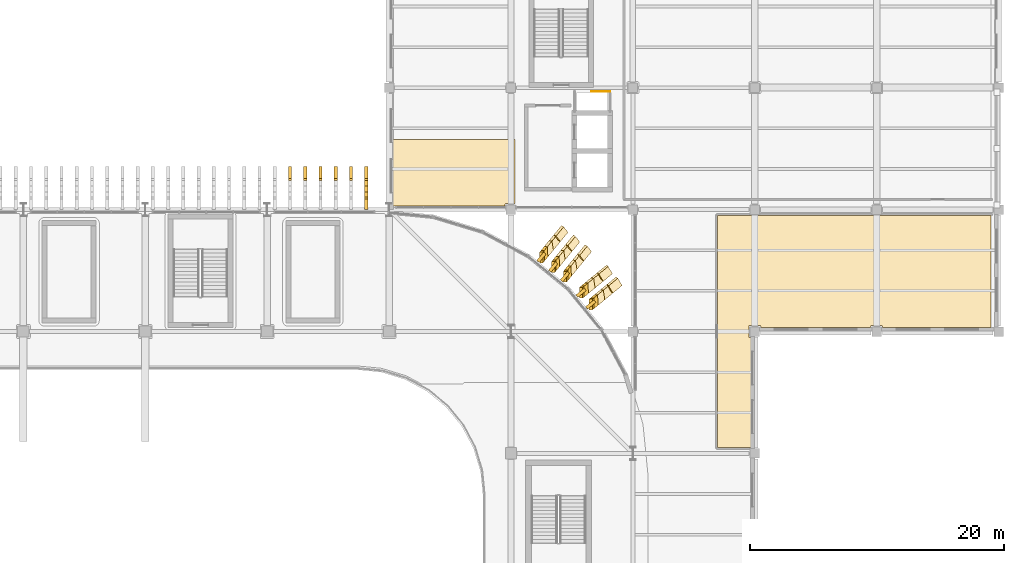
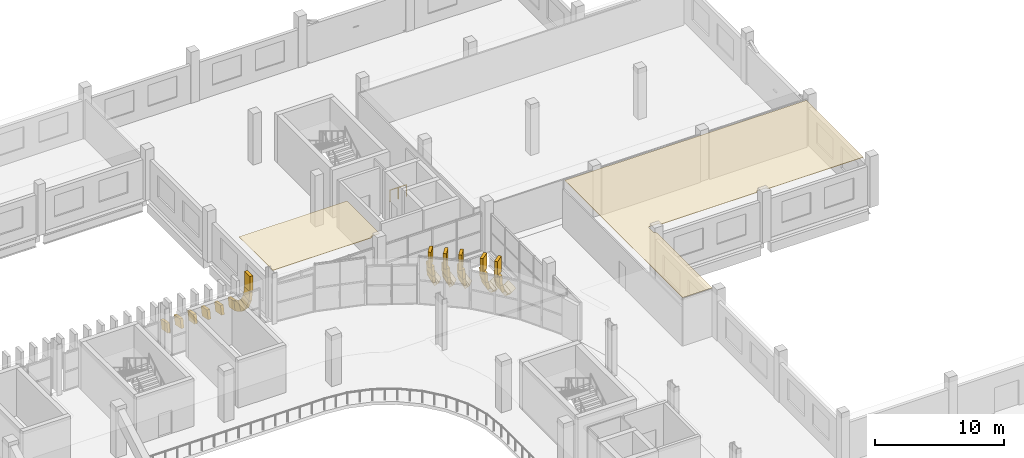
# One storey, part 96 of 100: 43 coverings, 1 railing.
"""IFC4 building model written with IfcOpenShell, lengths in metres."""

import ifcopenshell
import ifcopenshell.guid

model = None  # the IFC model being written
_history = None  # IfcOwnerHistory: only IFC2X3 demands one
_inside = {}  # id of a spatial element -> (the spatial element, [elements in it])
_under = {}  # id of a project, library or spatial element -> (it, [spatial elements below it])
_declared = {}  # id of a project -> (the project, [libraries it declares])
_typed = {}  # id of a type object -> (the type object, [elements of that type])
_made_of = {}  # id of a material, layer set ... -> (it, [elements and type objects made of it])


def new_model(schema):
    """Start an empty IFC model of exactly this schema.

    Asked for "IFC4X3", IfcOpenShell would pick the latest addendum, in which some entities
    have other attributes; the version numbers below select the first issue.
    IFC2X3 requires an IfcOwnerHistory on every rooted entity: one is made here for all.
    """
    global model, _history
    if schema == "IFC4X3":
        model = ifcopenshell.file(schema_version=(4, 3, 0, 0))
    else:
        model = ifcopenshell.file(schema=schema)
    _inside.clear()
    _under.clear()
    _declared.clear()
    _typed.clear()
    _made_of.clear()
    _history = None
    if model.schema == "IFC2X3":
        org = make("IfcOrganization", Name="unknown")
        user = make(
            "IfcPersonAndOrganization",
            ThePerson=make("IfcPerson", FamilyName="unknown"),
            TheOrganization=org,
        )
        app = make(
            "IfcApplication",
            ApplicationDeveloper=org,
            Version="unknown",
            ApplicationFullName="unknown",
            ApplicationIdentifier="unknown",
        )
        _history = make(
            "IfcOwnerHistory",
            OwningUser=user,
            OwningApplication=app,
            ChangeAction="ADDED",
            CreationDate=0,
        )
    return model


def make(cls, **values):
    """One entity of the class cls with the attributes given. An attribute that is None is left unset."""
    return model.create_entity(
        cls, **{name: value for name, value in values.items() if value is not None}
    )


def rooted(cls, **values):
    """An entity with a GlobalId (a new one), such as an element, a storey or a relation."""
    return make(cls, GlobalId=ifcopenshell.guid.new(), OwnerHistory=_history, **values)


def si_unit(unit_type, name, prefix=None):
    """IfcSIUnit, for example si_unit("LENGTHUNIT", "METRE", prefix="MILLI")."""
    return make("IfcSIUnit", UnitType=unit_type, Prefix=prefix, Name=name)


def assignment(units):
    """IfcUnitAssignment: the units of a project."""
    return None if units is None else make("IfcUnitAssignment", Units=units)


def point(xyz):
    """IfcCartesianPoint."""
    return None if xyz is None else make("IfcCartesianPoint", Coordinates=xyz)


def direction(xyz):
    """IfcDirection."""
    return None if xyz is None else make("IfcDirection", DirectionRatios=xyz)


def frame(location, z_axis=None, x_axis=None):
    """IfcAxis2Placement3D, a coordinate frame: its origin and axes. An axis left out is left unset."""
    return make(
        "IfcAxis2Placement3D",
        Location=point(location),
        Axis=direction(z_axis),
        RefDirection=direction(x_axis),
    )


def frame_2d(location, x_axis=None):
    """IfcAxis2Placement2D, a coordinate frame in the plane: its origin and x axis."""
    return make(
        "IfcAxis2Placement2D", Location=point(location), RefDirection=direction(x_axis)
    )


def origin():
    """The frame at (0, 0, 0) with its axes left unset."""
    return frame((0.0, 0.0, 0.0))


def origin_2d():
    """The frame at (0, 0) in the plane with its x axis left unset."""
    return frame_2d((0.0, 0.0))


def place(relative_to, where):
    """IfcLocalPlacement: puts the frame where relative to a parent placement (None: the world)."""
    return make(
        "IfcLocalPlacement", PlacementRelTo=relative_to, RelativePlacement=where
    )


def context(
    kind, dimensions, precision=None, world=None, true_north=None, identifier=None
):
    """IfcGeometricRepresentationContext, for example the 3D "Model" context."""
    return make(
        "IfcGeometricRepresentationContext",
        ContextIdentifier=identifier,
        ContextType=kind,
        CoordinateSpaceDimension=dimensions,
        Precision=precision,
        WorldCoordinateSystem=world,
        TrueNorth=true_north,
    )


def subcontext(parent, identifier, kind, view, scale=None):
    """IfcGeometricRepresentationSubContext, for example "Body" below "Model"."""
    return make(
        "IfcGeometricRepresentationSubContext",
        ContextIdentifier=identifier,
        ContextType=kind,
        ParentContext=parent,
        TargetScale=scale,
        TargetView=view,
    )


def project(units=None, contexts=None):
    """IfcProject with its units and contexts."""
    return rooted(
        "IfcProject",
        Name="project",
        RepresentationContexts=contexts,
        UnitsInContext=assignment(units),
    )


def spatial(cls, under=None, at=None, **own):
    """A site, building, storey or space (cls), placed at a placement, below another one or the project."""
    s = rooted(cls, ObjectPlacement=at, **own)
    if under is not None:
        _under.setdefault(under.id(), (under, []))[1].append(s)
    return s


def polyline(points):
    """IfcPolyline through the points."""
    return make("IfcPolyline", Points=[point(p) for p in points])


def profile(cls, at=None, kind="AREA", **sizes):
    """A parametric profile (cls). Its sizes go by their IFC names, for example OverallWidth=200.0."""
    return make(cls, ProfileType=kind, Position=at, **sizes)


def rectangle(**sizes):
    """IfcRectangleProfileDef."""
    return profile("IfcRectangleProfileDef", **sizes)


def circle(**sizes):
    """IfcCircleProfileDef."""
    return profile("IfcCircleProfileDef", **sizes)


def outline(outer, holes=None, kind="AREA"):
    """IfcArbitraryClosedProfileDef: a profile drawn as a closed curve; with holes, ...WithVoids."""
    if holes is None:
        return make("IfcArbitraryClosedProfileDef", ProfileType=kind, OuterCurve=outer)
    return make(
        "IfcArbitraryProfileDefWithVoids",
        ProfileType=kind,
        OuterCurve=outer,
        InnerCurves=holes,
    )


def extrude(swept, where, along, depth):
    """IfcExtrudedAreaSolid: the profile swept, set in the frame where, extruded along a direction by depth."""
    return make(
        "IfcExtrudedAreaSolid",
        SweptArea=swept,
        Position=where,
        ExtrudedDirection=direction(along),
        Depth=depth,
    )


def shape(context_of_items, identifier, shape_type, items):
    """IfcShapeRepresentation: the items that make up one representation, for example the "Body"."""
    return make(
        "IfcShapeRepresentation",
        ContextOfItems=context_of_items,
        RepresentationIdentifier=identifier,
        RepresentationType=shape_type,
        Items=items,
    )


def material(Name=None, Category=None):
    """IfcMaterial."""
    return make("IfcMaterial", Name=Name, Category=Category)


def layer(
    of_material, thickness, ventilated=None, Name=None, Category=None, Priority=None
):
    """IfcMaterialLayer: one layer of a wall or slab, of a material (None: an air gap)."""
    return make(
        "IfcMaterialLayer",
        Material=of_material,
        LayerThickness=thickness,
        IsVentilated=ventilated,
        Name=Name,
        Category=Category,
        Priority=Priority,
    )


def layer_set(layers, Name=None):
    """IfcMaterialLayerSet."""
    return make("IfcMaterialLayerSet", MaterialLayers=layers, LayerSetName=Name)


def material_profile(
    of_material, cross_section, Name=None, Category=None, Priority=None
):
    """IfcMaterialProfile: a cross section and its material."""
    return make(
        "IfcMaterialProfile",
        Name=Name,
        Material=of_material,
        Profile=cross_section,
        Priority=Priority,
        Category=Category,
    )


def profile_set(profiles, Name=None, composite=None):
    """IfcMaterialProfileSet."""
    return make(
        "IfcMaterialProfileSet",
        Name=Name,
        MaterialProfiles=profiles,
        CompositeProfile=composite,
    )


def made_of(thing, what):
    """Note that an element or type object is made of a material, layer set ...; save() writes the relation."""
    if what is not None:
        _made_of.setdefault(what.id(), (what, []))[1].append(thing)
    return thing


def type_object(cls, material=None, **own):
    """A type object (cls), such as IfcWallType, which elements share."""
    return made_of(rooted(cls, **own), material)


def element(
    cls,
    number,
    at=None,
    inside=None,
    cuts=None,
    type_object=None,
    material=None,
    context=None,
    identifier="Body",
    shape_type=None,
    held_by="IfcProductDefinitionShape",
    body=None,
    shapes=None,
    **own,
):
    """One element of the class cls, such as IfcWall. Its Tag is "e" and its number.

    at: its placement. inside: the storey or other place that contains it. cuts: it is an
    opening in that element (IfcRelVoidsElement). A single representation is given by context,
    identifier, shape_type and body (its items); several are given by shapes. held_by: the class
    of the entity that holds the representations. save() writes the other relations.
    """
    e = rooted(cls, Tag="e%d" % number, ObjectPlacement=at, **own)
    if body is not None:
        shapes = [shape(context, identifier, shape_type, body)]
    if shapes is not None:
        e.Representation = make(held_by, Representations=shapes)
    if inside is not None:
        _inside.setdefault(inside.id(), (inside, []))[1].append(e)
    if cuts is not None:
        rooted(
            "IfcRelVoidsElement", RelatingBuildingElement=cuts, RelatedOpeningElement=e
        )
    if type_object is not None:
        _typed.setdefault(type_object.id(), (type_object, []))[1].append(e)
    return made_of(e, material)


def aggregate(whole, parts):
    """IfcRelAggregates: a whole, such as a stair, and the parts it consists of."""
    return rooted("IfcRelAggregates", RelatingObject=whole, RelatedObjects=parts)


def save(model, path):
    """Write the relations noted so far, then the file.

    IfcRelAggregates (storeys below a building ...), IfcRelContainedInSpatialStructure (elements
    in a storey), IfcRelDefinesByType, IfcRelAssociatesMaterial and IfcRelDeclares: one each for
    every whole, place, type object, material and project.
    """
    for whole, parts in _under.values():
        aggregate(whole, parts)
    for where, things in _inside.values():
        rooted(
            "IfcRelContainedInSpatialStructure",
            RelatedElements=things,
            RelatingStructure=where,
        )
    for kind, things in _typed.values():
        rooted("IfcRelDefinesByType", RelatedObjects=things, RelatingType=kind)
    for what, things in _made_of.values():
        rooted("IfcRelAssociatesMaterial", RelatedObjects=things, RelatingMaterial=what)
    for by, libraries in _declared.values():
        rooted("IfcRelDeclares", RelatingContext=by, RelatedDefinitions=libraries)
    model.write(path)


model = new_model("IFC4")

# Units and contexts
model_context = context("Model", 3, precision=1e-05, world=origin(), true_north=direction((0.0, 1.0)))
body_context = subcontext(model_context, "Body", "Model", "MODEL_VIEW")
ifc_project = project(units=[si_unit("LENGTHUNIT", "METRE"), si_unit("AREAUNIT", "SQUARE_METRE"), si_unit("VOLUMEUNIT", "CUBIC_METRE"), si_unit("PLANEANGLEUNIT", "RADIAN"), si_unit("MASSUNIT", "GRAM", prefix="KILO")], contexts=[model_context])

# Site, building, storey
site_placement = place(None, origin())
site = spatial("IfcSite", under=ifc_project, at=site_placement, CompositionType="ELEMENT")
building_placement = place(site_placement, origin())
building = spatial("IfcBuilding", under=site, at=building_placement, Name="Caelomonte Colonnade Arena", CompositionType="ELEMENT")
storey_placement = place(building_placement, origin())
storey = spatial("IfcBuildingStorey", under=building, at=storey_placement, Name="L00", CompositionType="ELEMENT", Elevation=0.0)

# Coverings
ifc_material_1 = material(Name="Precast travertine cladding", Category="masonry")
ifc_material_profile = material_profile(ifc_material_1, rectangle(XDim=0.260009765625, YDim=0.85009765625, at=origin_2d()), Name="FIN260X850")
ifc_profile_set = profile_set([ifc_material_profile], Name="Precast travertine cladding")
covering_type_1 = type_object("IfcCoveringType", Name="ENV-FN-SKIRT", PredefinedType="CLADDING", material=ifc_profile_set)
covering_1_placement = place(storey_placement, frame((159.880615234375, 107.72509765625, 3.360107421875), z_axis=(0.0, 0.0, 1.0), x_axis=(0.634413521313, -0.77299384472, 0.0)))
element("IfcCovering", 1, at=covering_1_placement, inside=storey, type_object=covering_type_1, Name="V1 L00 upper classical fin stem 79", PredefinedType="CLADDING", context=body_context, shape_type="SweptSolid", body=[
    extrude(rectangle(XDim=0.260009765625, YDim=0.85009765625, at=origin_2d()), origin(), (0.0, 0.0, 1.0), 1.4599609375),
])
for number, where, z_axis, x_axis, name in (
    (2, (159.875244140625, 107.720703125, 3.474609375), (0.11819984964, 0.097127335462, -0.988228251089), (-0.992969417275, 0.005180578696, -0.11825776068), "V1 L00 splayed classical fin skirt chord 1 (79)"),
    (3, (159.973388671875, 107.801513671875, 2.563232421875), (0.343907040616, 0.282149086139, -0.895611433941), (-0.937616602887, 0.051360055109, -0.343856439128), "V1 L00 splayed classical fin skirt chord 2 (79)"),
    (4, (160.2802734375, 108.053466796875, 1.733154296875), (0.536995164817, 0.440592785207, -0.719384591569), (-0.832306711864, 0.137734765107, -0.536930788712), "V1 L00 splayed classical fin skirt chord 3 (79)"),
):
    element("IfcCovering", number, at=place(storey_placement, frame(where, z_axis=z_axis, x_axis=x_axis)), inside=storey, type_object=covering_type_1, Name=name, PredefinedType="CLADDING", context=body_context, shape_type="SweptSolid", body=[
        extrude(rectangle(XDim=0.260009765625, YDim=0.85009765625, at=origin_2d()), origin(), (0.0, 0.0, 1.0), 1.008056640625),
    ])
covering_2_placement = place(storey_placement, frame((160.766845703125, 108.45263671875, 1.061767578125), z_axis=(0.679977341442, 0.558128890161, -0.47552387647), x_axis=(-0.686627978784, 0.257168052861, -0.680004861261)))
element("IfcCovering", 5, at=covering_2_placement, inside=storey, type_object=covering_type_1, Name="V1 L00 splayed classical fin skirt chord 4 (79)", PredefinedType="CLADDING", context=body_context, shape_type="SweptSolid", body=[
    extrude(rectangle(XDim=0.260009765625, YDim=0.85009765625, at=origin_2d()), origin(), (0.0, 0.0, 1.0), 1.0078125),
])
covering_3_placement = place(storey_placement, frame((161.387451171875, 108.9619140625, 0.6123046875), z_axis=(0.759206251049, 0.623289567494, -0.187392591692), x_axis=(-0.514511393456, 0.39842317493, -0.759300335627)))
element("IfcCovering", 6, at=covering_3_placement, inside=storey, type_object=covering_type_1, Name="V1 L00 splayed classical fin skirt chord 5 (79)", PredefinedType="CLADDING", context=body_context, shape_type="SweptSolid", body=[
    extrude(rectangle(XDim=0.260009765625, YDim=0.85009765625, at=origin_2d()), origin(), (0.0, 0.0, 1.0), 0.962890625),
])
covering_4_placement = place(storey_placement, frame((159.119140625, 108.65283203125, 3.360107421875), z_axis=(0.0, 0.0, 1.0), x_axis=(0.634413521313, -0.77299384472, 0.0)))
element("IfcCovering", 7, at=covering_4_placement, inside=storey, type_object=covering_type_1, Name="V1 L00 upper classical fin stem 80", PredefinedType="CLADDING", context=body_context, shape_type="SweptSolid", body=[
    extrude(rectangle(XDim=0.260009765625, YDim=0.85009765625, at=origin_2d()), origin(), (0.0, 0.0, 1.0), 1.4599609375),
])
for number, where, z_axis, x_axis, name in (
    (8, (159.114013671875, 108.6484375, 3.474609375), (0.117961010588, 0.097130113441, -0.988256515811), (-0.992990994556, 0.004167381904, -0.118116542697), "V1 L00 splayed classical fin skirt chord 1 (80)"),
    (9, (159.212158203125, 108.729248046875, 2.563232421875), (0.343716951851, 0.281949634922, -0.895747207854), (-0.93769385964, 0.051364417791, -0.343645052602), "V1 L00 splayed classical fin skirt chord 2 (80)"),
):
    element("IfcCovering", number, at=place(storey_placement, frame(where, z_axis=z_axis, x_axis=x_axis)), inside=storey, type_object=covering_type_1, Name=name, PredefinedType="CLADDING", context=body_context, shape_type="SweptSolid", body=[
        extrude(rectangle(XDim=0.260009765625, YDim=0.85009765625, at=origin_2d()), origin(), (0.0, 0.0, 1.0), 1.0078125),
    ])
covering_5_placement = place(storey_placement, frame((159.51904296875, 108.98095703125, 1.733154296875), z_axis=(0.536995164817, 0.440592785207, -0.719384591569), x_axis=(-0.832306711864, 0.137734765107, -0.536930788712)))
element("IfcCovering", 10, at=covering_5_placement, inside=storey, type_object=covering_type_1, Name="V1 L00 splayed classical fin skirt chord 3 (80)", PredefinedType="CLADDING", context=body_context, shape_type="SweptSolid", body=[
    extrude(rectangle(XDim=0.260009765625, YDim=0.85009765625, at=origin_2d()), origin(), (0.0, 0.0, 1.0), 1.008056640625),
])
covering_6_placement = place(storey_placement, frame((160.005615234375, 109.380126953125, 1.061767578125), z_axis=(0.679977341442, 0.558128890161, -0.47552387647), x_axis=(-0.686627978784, 0.257168052861, -0.680004861261)))
element("IfcCovering", 11, at=covering_6_placement, inside=storey, type_object=covering_type_1, Name="V1 L00 splayed classical fin skirt chord 4 (80)", PredefinedType="CLADDING", context=body_context, shape_type="SweptSolid", body=[
    extrude(rectangle(XDim=0.260009765625, YDim=0.85009765625, at=origin_2d()), origin(), (0.0, 0.0, 1.0), 1.0078125),
])
covering_7_placement = place(storey_placement, frame((160.626220703125, 109.8896484375, 0.6123046875), z_axis=(0.759326248554, 0.623134466498, -0.187422210314), x_axis=(-0.514449574071, 0.398511316548, -0.759295967539)))
element("IfcCovering", 12, at=covering_7_placement, inside=storey, type_object=covering_type_1, Name="V1 L00 splayed classical fin skirt chord 5 (80)", PredefinedType="CLADDING", context=body_context, shape_type="SweptSolid", body=[
    extrude(rectangle(XDim=0.260009765625, YDim=0.85009765625, at=origin_2d()), origin(), (0.0, 0.0, 1.0), 0.962646484375),
])
covering_8_placement = place(storey_placement, frame((157.852783203125, 109.919189453125, 3.360107421875), z_axis=(0.0, 0.0, 1.0), x_axis=(0.77299384472, -0.634413521313, 0.0)))
element("IfcCovering", 13, at=covering_8_placement, inside=storey, type_object=covering_type_1, Name="V1 L00 upper classical fin stem 81", PredefinedType="CLADDING", context=body_context, shape_type="SweptSolid", body=[
    extrude(rectangle(XDim=0.260009765625, YDim=0.85009765625, at=origin_2d()), origin(), (0.0, 0.0, 1.0), 1.4599609375),
])
covering_9_placement = place(storey_placement, frame((157.848388671875, 109.913818359375, 3.474609375), z_axis=(0.097127335462, 0.11819984964, -0.988228251089), x_axis=(-0.99525848015, 0.006366466969, -0.097056817318)))
element("IfcCovering", 14, at=covering_9_placement, inside=storey, type_object=covering_type_1, Name="V1 L00 splayed classical fin skirt chord 1 (81)", PredefinedType="CLADDING", context=body_context, shape_type="SweptSolid", body=[
    extrude(rectangle(XDim=0.260009765625, YDim=0.85009765625, at=origin_2d()), origin(), (0.0, 0.0, 1.0), 1.008056640625),
])
covering_10_placement = place(storey_placement, frame((157.92919921875, 110.01220703125, 2.563232421875), z_axis=(0.281949634922, 0.343716951851, -0.895747207854), x_axis=(-0.958053286593, 0.050881063305, -0.282037262511)))
element("IfcCovering", 15, at=covering_10_placement, inside=storey, type_object=covering_type_1, Name="V1 L00 splayed classical fin skirt chord 2 (81)", PredefinedType="CLADDING", context=body_context, shape_type="SweptSolid", body=[
    extrude(rectangle(XDim=0.260009765625, YDim=0.85009765625, at=origin_2d()), origin(), (0.0, 0.0, 1.0), 1.0078125),
])
for number, where, z_axis, x_axis, name in (
    (16, (158.180908203125, 110.319091796875, 1.733154296875), (0.440592785207, 0.536995164817, -0.719384591569), (-0.887077861354, 0.13748356392, -0.440671235216), "V1 L00 splayed classical fin skirt chord 3 (81)"),
    (17, (158.580078125, 110.805419921875, 1.061767578125), (0.558036961483, 0.680107546807, -0.475445553555), (-0.788909297872, 0.257141420872, -0.558122217264), "V1 L00 splayed classical fin skirt chord 4 (81)"),
):
    element("IfcCovering", number, at=place(storey_placement, frame(where, z_axis=z_axis, x_axis=x_axis)), inside=storey, type_object=covering_type_1, Name=name, PredefinedType="CLADDING", context=body_context, shape_type="SweptSolid", body=[
        extrude(rectangle(XDim=0.260009765625, YDim=0.85009765625, at=origin_2d()), origin(), (0.0, 0.0, 1.0), 1.008056640625),
    ])
covering_11_placement = place(storey_placement, frame((159.089599609375, 111.426025390625, 0.6123046875), z_axis=(0.623169588637, 0.759313636277, -0.187356519936), x_axis=(-0.672931937109, 0.398509912609, -0.623179314139)))
element("IfcCovering", 18, at=covering_11_placement, inside=storey, type_object=covering_type_1, Name="V1 L00 splayed classical fin skirt chord 5 (81)", PredefinedType="CLADDING", context=body_context, shape_type="SweptSolid", body=[
    extrude(rectangle(XDim=0.260009765625, YDim=0.85009765625, at=origin_2d()), origin(), (0.0, 0.0, 1.0), 0.962890625),
])
covering_12_placement = place(storey_placement, frame((156.92529296875, 110.680419921875, 3.360107421875), z_axis=(0.0, 0.0, 1.0), x_axis=(0.77299384472, -0.634413521313, 0.0)))
element("IfcCovering", 19, at=covering_12_placement, inside=storey, type_object=covering_type_1, Name="V1 L00 upper classical fin stem 82", PredefinedType="CLADDING", context=body_context, shape_type="SweptSolid", body=[
    extrude(rectangle(XDim=0.260009765625, YDim=0.85009765625, at=origin_2d()), origin(), (0.0, 0.0, 1.0), 1.4599609375),
])
covering_13_placement = place(storey_placement, frame((156.9208984375, 110.67529296875, 3.474609375), z_axis=(0.097130113441, 0.117961010588, -0.988256515811), x_axis=(-0.995262967256, 0.007354230871, -0.096940916528)))
element("IfcCovering", 20, at=covering_13_placement, inside=storey, type_object=covering_type_1, Name="V1 L00 splayed classical fin skirt chord 1 (82)", PredefinedType="CLADDING", context=body_context, shape_type="SweptSolid", body=[
    extrude(rectangle(XDim=0.260009765625, YDim=0.85009765625, at=origin_2d()), origin(), (0.0, 0.0, 1.0), 1.0078125),
])
for number, where, z_axis, x_axis, name in (
    (21, (157.001708984375, 110.7734375, 2.563232421875), (0.281926155371, 0.343930533184, -0.895672613884), (-0.958040803784, 0.050586734672, -0.282132593935), "V1 L00 splayed classical fin skirt chord 2 (82)"),
    (22, (157.25341796875, 111.080322265625, 1.733154296875), (0.440592785207, 0.536995164817, -0.719384591569), (-0.887077861354, 0.13748356392, -0.440671235216), "V1 L00 splayed classical fin skirt chord 3 (82)"),
):
    element("IfcCovering", number, at=place(storey_placement, frame(where, z_axis=z_axis, x_axis=x_axis)), inside=storey, type_object=covering_type_1, Name=name, PredefinedType="CLADDING", context=body_context, shape_type="SweptSolid", body=[
        extrude(rectangle(XDim=0.260009765625, YDim=0.85009765625, at=origin_2d()), origin(), (0.0, 0.0, 1.0), 1.008056640625),
    ])
covering_14_placement = place(storey_placement, frame((157.652587890625, 111.56689453125, 1.061767578125), z_axis=(0.558128890161, 0.679977341442, -0.47552387647), x_axis=(-0.788895895892, 0.257240809119, -0.558095360641)))
element("IfcCovering", 23, at=covering_14_placement, inside=storey, type_object=covering_type_1, Name="V1 L00 splayed classical fin skirt chord 4 (82)", PredefinedType="CLADDING", context=body_context, shape_type="SweptSolid", body=[
    extrude(rectangle(XDim=0.260009765625, YDim=0.85009765625, at=origin_2d()), origin(), (0.0, 0.0, 1.0), 1.0078125),
])
covering_15_placement = place(storey_placement, frame((158.162109375, 112.1875, 0.6123046875), z_axis=(0.623134466498, 0.759326248554, -0.187422210314), x_axis=(-0.672972634841, 0.398453615864, -0.62317136388)))
element("IfcCovering", 24, at=covering_15_placement, inside=storey, type_object=covering_type_1, Name="V1 L00 splayed classical fin skirt chord 5 (82)", PredefinedType="CLADDING", context=body_context, shape_type="SweptSolid", body=[
    extrude(rectangle(XDim=0.260009765625, YDim=0.85009765625, at=origin_2d()), origin(), (0.0, 0.0, 1.0), 0.962646484375),
])
covering_16_placement = place(storey_placement, frame((155.99755859375, 111.44189453125, 3.360107421875), z_axis=(0.0, 0.0, 1.0), x_axis=(0.77299384472, -0.634413521313, 0.0)))
element("IfcCovering", 25, at=covering_16_placement, inside=storey, type_object=covering_type_1, Name="V1 L00 upper classical fin stem 83", PredefinedType="CLADDING", context=body_context, shape_type="SweptSolid", body=[
    extrude(rectangle(XDim=0.260009765625, YDim=0.85009765625, at=origin_2d()), origin(), (0.0, 0.0, 1.0), 1.4599609375),
])
for number, where, z_axis, x_axis, name in (
    (26, (155.9931640625, 111.4365234375, 3.474609375), (0.097127335462, 0.11819984964, -0.988228251089), (-0.99525848015, 0.006366466969, -0.097056817318), "V1 L00 splayed classical fin skirt chord 1 (83)"),
    (27, (156.073974609375, 111.534912109375, 2.563232421875), (0.282172581046, 0.343693469961, -0.895686012625), (-0.958007139963, 0.05131451586, -0.282115473242), "V1 L00 splayed classical fin skirt chord 2 (83)"),
    (28, (156.32568359375, 111.841552734375, 1.733154296875), (0.440787951338, 0.536937850613, -0.7193078107), (-0.887009866819, 0.137760295402, -0.440721677679), "V1 L00 splayed classical fin skirt chord 3 (83)"),
):
    element("IfcCovering", number, at=place(storey_placement, frame(where, z_axis=z_axis, x_axis=x_axis)), inside=storey, type_object=covering_type_1, Name=name, PredefinedType="CLADDING", context=body_context, shape_type="SweptSolid", body=[
        extrude(rectangle(XDim=0.260009765625, YDim=0.85009765625, at=origin_2d()), origin(), (0.0, 0.0, 1.0), 1.008056640625),
    ])
covering_17_placement = place(storey_placement, frame((156.72509765625, 112.328125, 1.061767578125), z_axis=(0.558128890161, 0.679977341442, -0.47552387647), x_axis=(-0.788895895892, 0.257240809119, -0.558095360641)))
element("IfcCovering", 29, at=covering_17_placement, inside=storey, type_object=covering_type_1, Name="V1 L00 splayed classical fin skirt chord 4 (83)", PredefinedType="CLADDING", context=body_context, shape_type="SweptSolid", body=[
    extrude(rectangle(XDim=0.260009765625, YDim=0.85009765625, at=origin_2d()), origin(), (0.0, 0.0, 1.0), 1.0078125),
])
covering_18_placement = place(storey_placement, frame((157.234375, 112.94873046875, 0.6123046875), z_axis=(0.623289567494, 0.759206251049, -0.187392591692), x_axis=(-0.672881184706, 0.398602426451, -0.623174948868)))
element("IfcCovering", 30, at=covering_18_placement, inside=storey, type_object=covering_type_1, Name="V1 L00 splayed classical fin skirt chord 5 (83)", PredefinedType="CLADDING", context=body_context, shape_type="SweptSolid", body=[
    extrude(rectangle(XDim=0.260009765625, YDim=0.85009765625, at=origin_2d()), origin(), (0.0, 0.0, 1.0), 0.962890625),
])
covering_19_placement = place(storey_placement, frame((142.199951171875, 115.62109375, 3.360107421875), z_axis=(0.0, 0.0, 1.0), x_axis=(1.0, 0.0, 0.0)))
element("IfcCovering", 31, at=covering_19_placement, inside=storey, type_object=covering_type_1, Name="V1 L00 upper classical fin stem 93", PredefinedType="CLADDING", context=body_context, shape_type="SweptSolid", body=[
    extrude(rectangle(XDim=0.260009765625, YDim=0.85009765625, at=origin_2d()), origin(), (0.0, 0.0, 1.0), 1.4599609375),
])
for number, where, z_axis, x_axis, name in (
    (32, (142.199951171875, 115.614013671875, 3.474609375), (0.0, 0.153076342973, -0.988214366027), (-1.0, 0.0, 0.0), "V1 L00 splayed classical fin skirt chord 1 (93)"),
    (33, (142.199951171875, 115.741455078125, 2.563232421875), (0.0, 0.444692864571, -0.89568312265), (-1.0, 0.0, 0.0), "V1 L00 splayed classical fin skirt chord 2 (93)"),
    (34, (142.199951171875, 116.13818359375, 1.733154296875), (0.0, 0.694646381209, -0.71935137803), (-1.0, 0.0, 0.0), "V1 L00 splayed classical fin skirt chord 3 (93)"),
    (35, (142.199951171875, 116.767578125, 1.061767578125), (0.0, 0.879731158529, -0.475471438379), (-1.0, 0.0, 0.0), "V1 L00 splayed classical fin skirt chord 4 (93)"),
):
    element("IfcCovering", number, at=place(storey_placement, frame(where, z_axis=z_axis, x_axis=x_axis)), inside=storey, type_object=covering_type_1, Name=name, PredefinedType="CLADDING", context=body_context, shape_type="SweptSolid", body=[
        extrude(rectangle(XDim=0.260009765625, YDim=0.85009765625, at=origin_2d()), origin(), (0.0, 0.0, 1.0), 1.008056640625),
    ])
for number, where, z_axis, x_axis, name in (
    (36, (142.199951171875, 117.5703125, 0.6123046875), (0.0, 0.982296384632, -0.187333426643), (-1.0, 0.0, 0.0), "V1 L00 splayed classical fin skirt chord 5 (93)"),
    (37, (141.0, 117.5703125, 0.6123046875), (0.0, 0.982296384632, -0.187333426643), (-1.0, 0.0, 0.0), "V1 L00 splayed classical fin skirt chord 5 (94)"),
    (38, (139.800048828125, 117.5703125, 0.6123046875), (0.0, 0.982296384632, -0.187333426643), (-1.0, 0.0, 0.0), "V1 L00 splayed classical fin skirt chord 5 (95)"),
    (39, (138.60009765625, 117.5703125, 0.6123046875), (0.0, 0.982296384632, -0.187333426643), (-1.0, 0.0, 0.0), "V1 L00 splayed classical fin skirt chord 5 (96)"),
    (40, (137.39990234375, 117.5703125, 0.6123046875), (0.0, 0.982296384632, -0.187333426643), (-1.0, 0.0, 0.0), "V1 L00 splayed classical fin skirt chord 5 (97)"),
    (41, (136.199951171875, 117.5703125, 0.6123046875), (0.0, 0.982296384632, -0.187333426643), (-1.0, 0.0, 0.0), "V1 L00 splayed classical fin skirt chord 5 (98)"),
):
    element("IfcCovering", number, at=place(storey_placement, frame(where, z_axis=z_axis, x_axis=x_axis)), inside=storey, type_object=covering_type_1, Name=name, PredefinedType="CLADDING", context=body_context, shape_type="SweptSolid", body=[
        extrude(rectangle(XDim=0.260009765625, YDim=0.85009765625, at=origin_2d()), origin(), (0.0, 0.0, 1.0), 0.963134765625),
    ])
ifc_material_2 = material(Name="Perforated acoustic mineral-fibre ceiling")
ifc_layer = layer(ifc_material_2, 0.0400390625)
ifc_layer_set = layer_set([ifc_layer], Name="Perforated acoustic mineral-fibre ceiling")
covering_type_2 = type_object("IfcCoveringType", Name="INT-CV-CEIL1", PredefinedType="CEILING", material=ifc_layer_set)
covering_20_placement = place(storey_placement, frame((0.0, 0.0, 4.419921875)))
element("IfcCovering", 42, at=covering_20_placement, inside=storey, type_object=covering_type_2, Name="L00 Concourse Beverage Kiosk acoustic ceiling", PredefinedType="CEILING", context=body_context, shape_type="SweptSolid", body=[
    extrude(outline(polyline([(182.86962890625, 105.997802734375), (182.8701171875, 105.989990234375), (182.8701171875, 105.89990234375), (191.419921875, 105.89990234375), (191.419921875, 114.719970703125), (169.8798828125, 114.719970703125), (169.8798828125, 96.47998046875), (172.5, 96.47998046875), (172.5, 105.1298828125), (172.409912109375, 105.1298828125), (172.402099609375, 105.13037109375), (172.394287109375, 105.131591796875), (172.38671875, 105.13330078125), (172.37939453125, 105.135986328125), (172.372314453125, 105.139404296875), (172.365478515625, 105.1435546875), (172.359130859375, 105.148193359375), (172.353515625, 105.1533203125), (172.34814453125, 105.1591796875), (172.343505859375, 105.16552734375), (172.33935546875, 105.17236328125), (172.336181640625, 105.179443359375), (172.33349609375, 105.186767578125), (172.33154296875, 105.1943359375), (172.330322265625, 105.2021484375), (172.330078125, 105.2099609375), (172.330078125, 105.989990234375), (172.330322265625, 105.997802734375), (172.33154296875, 106.005615234375), (172.33349609375, 106.01318359375), (172.336181640625, 106.0205078125), (172.33935546875, 106.027587890625), (172.343505859375, 106.034423828125), (172.34814453125, 106.040771484375), (172.353515625, 106.046630859375), (172.359130859375, 106.0517578125), (172.365478515625, 106.056396484375), (172.372314453125, 106.060546875), (172.37939453125, 106.06396484375), (172.38671875, 106.066650390625), (172.394287109375, 106.068603515625), (172.402099609375, 106.069580078125), (172.409912109375, 106.070068359375), (173.18994140625, 106.070068359375), (173.19775390625, 106.069580078125), (173.20556640625, 106.068603515625), (173.213134765625, 106.066650390625), (173.220703125, 106.06396484375), (173.227783203125, 106.060546875), (173.234375, 106.056396484375), (173.24072265625, 106.0517578125), (173.24658203125, 106.046630859375), (173.251708984375, 106.040771484375), (173.256591796875, 106.034423828125), (173.260498046875, 106.027587890625), (173.263916015625, 106.0205078125), (173.2666015625, 106.01318359375), (173.2685546875, 106.005615234375), (173.26953125, 105.997802734375), (173.27001953125, 105.989990234375), (173.27001953125, 105.89990234375), (181.929931640625, 105.89990234375), (181.929931640625, 105.989990234375), (181.930419921875, 105.997802734375), (181.931396484375, 106.005615234375), (181.933349609375, 106.01318359375), (181.93603515625, 106.0205078125), (181.939453125, 106.027587890625), (181.943603515625, 106.034423828125), (181.9482421875, 106.040771484375), (181.953369140625, 106.046630859375), (181.959228515625, 106.0517578125), (181.965576171875, 106.056396484375), (181.972412109375, 106.060546875), (181.9794921875, 106.06396484375), (181.98681640625, 106.066650390625), (181.994384765625, 106.068603515625), (182.002197265625, 106.069580078125), (182.010009765625, 106.070068359375), (182.7900390625, 106.070068359375), (182.7978515625, 106.069580078125), (182.8056640625, 106.068603515625), (182.813232421875, 106.066650390625), (182.820556640625, 106.06396484375), (182.82763671875, 106.060546875), (182.83447265625, 106.056396484375), (182.8408203125, 106.0517578125), (182.8466796875, 106.046630859375), (182.851806640625, 106.040771484375), (182.8564453125, 106.034423828125), (182.860595703125, 106.027587890625), (182.864013671875, 106.0205078125), (182.86669921875, 106.01318359375), (182.868408203125, 106.005615234375), (182.86962890625, 105.997802734375)])), origin(), (0.0, 0.0, 1.0), 0.0400390625),
])
covering_21_placement = place(storey_placement, frame((0.0, 0.0, 4.419921875)))
element("IfcCovering", 43, at=covering_21_placement, inside=storey, type_object=covering_type_2, Name="L00 North Gallery Concourse acoustic ceiling", PredefinedType="CEILING", context=body_context, shape_type="SweptSolid", body=[
    extrude(outline(polyline([(144.300048828125, 120.719970703125), (144.300048828125, 115.771484375), (144.302490234375, 115.766357421875), (144.30517578125, 115.7587890625), (144.306884765625, 115.751220703125), (144.30810546875, 115.743408203125), (144.30859375, 115.735595703125), (144.30859375, 115.5), (153.1298828125, 115.5), (153.1298828125, 115.590087890625), (153.13037109375, 115.597900390625), (153.131591796875, 115.605712890625), (153.13330078125, 115.61328125), (153.135986328125, 115.62060546875), (153.139404296875, 115.627685546875), (153.1435546875, 115.634521484375), (153.148193359375, 115.640869140625), (153.1533203125, 115.646484375), (153.1591796875, 115.65185546875), (153.16552734375, 115.656494140625), (153.17236328125, 115.66064453125), (153.179443359375, 115.663818359375), (153.186767578125, 115.66650390625), (153.1943359375, 115.66845703125), (153.2021484375, 115.669677734375), (153.2099609375, 115.669921875), (153.919921875, 115.669921875), (153.919921875, 120.719970703125), (144.300048828125, 120.719970703125)])), origin(), (0.0, 0.0, 1.0), 0.0400390625),
])

# Railing
ifc_material_3 = material(Name="Painted galvanized steel stair guard", Category="steel")
railing_type = type_object("IfcRailingType", Name="INT-RL-GRD", PredefinedType="GUARDRAIL", material=ifc_material_3)
railing_placement = place(storey_placement, frame((159.949951171875, 124.5, 0.0)))
element("IfcRailing", 44, at=railing_placement, inside=storey, type_object=railing_type, Name="Core C6 L00 riser opening guard", PredefinedType="GUARDRAIL", context=body_context, shape_type="SweptSolid", body=[
    extrude(circle(Radius=0.02392578125, at=origin_2d()), frame((0.0, 0.0, 1.076171875), z_axis=(1.0, 0.0, 0.0), x_axis=(0.0, 1.0, 0.0)), (0.0, 0.0, 1.0), 1.449951171875),
    extrude(circle(Radius=0.02099609375, at=origin_2d()), origin(), (0.0, 0.0, 1.0), 1.048095703125),
    extrude(circle(Radius=0.02099609375, at=origin_2d()), frame((0.72509765625, 0.0, 0.0)), (0.0, 0.0, 1.0), 1.048095703125),
    extrude(circle(Radius=0.02099609375, at=origin_2d()), frame((1.449951171875, 0.0, 0.0)), (0.0, 0.0, 1.0), 1.048095703125),
])

save(model, "model.ifc")
